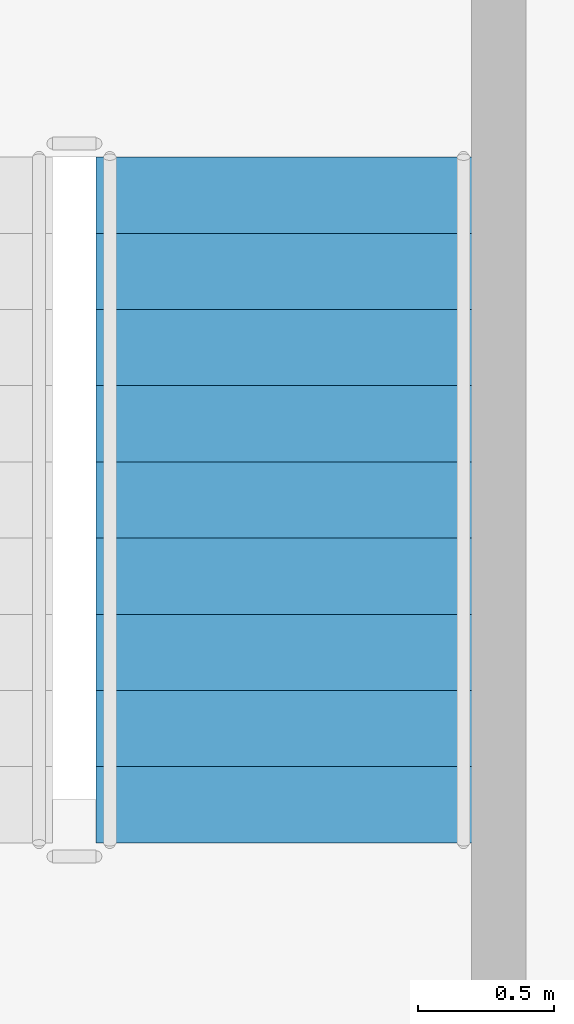
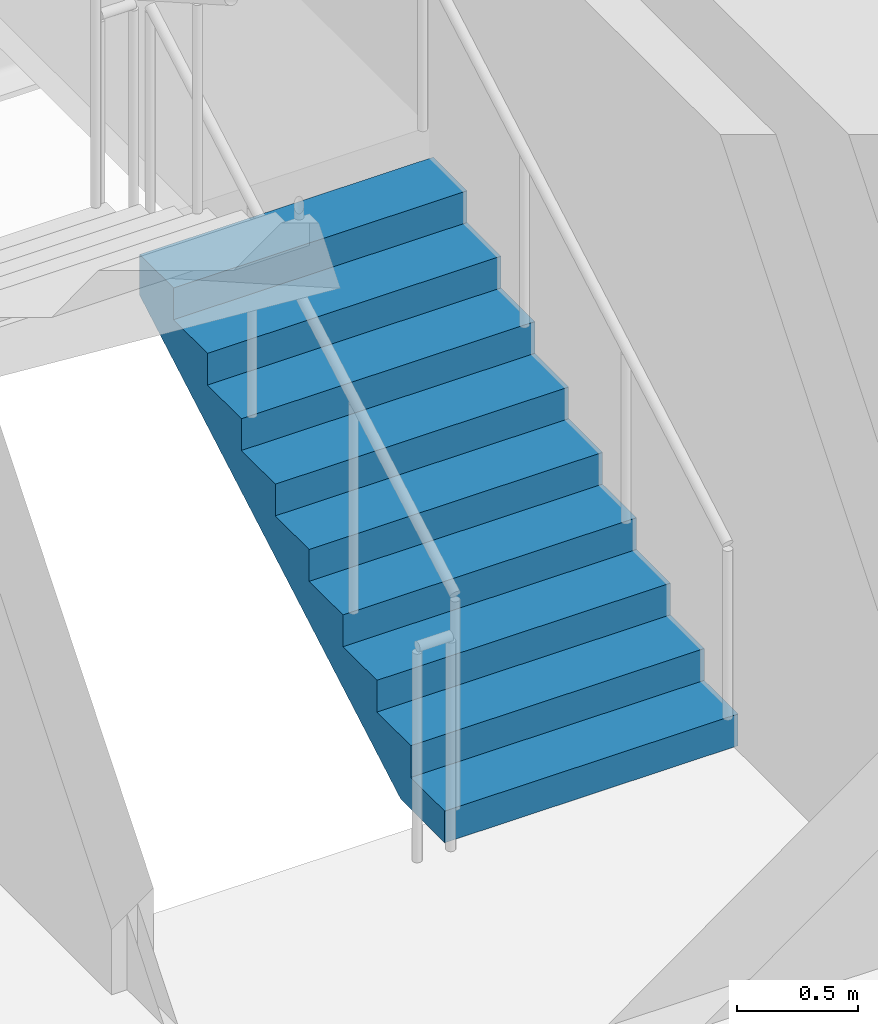
# One storey, part 5 of 7: 1 stair flight, 1 element without a shape of its own.
"""IFC4 building model written with IfcOpenShell, lengths in metres."""

from ifc_helpers import new_model, si_unit, direction, frame, origin, place, context, subcontext, project, spatial, polyline, outline, extrude, material, type_object, element, aggregate, save


model = new_model("IFC4")

# Units and contexts
model_context = context("Model", 3, precision=1e-05, world=origin(), true_north=direction((0.0, 1.0)))
body_context = subcontext(model_context, "Body", "Model", "MODEL_VIEW")
ifc_project = project(units=[si_unit("LENGTHUNIT", "METRE"), si_unit("AREAUNIT", "SQUARE_METRE"), si_unit("VOLUMEUNIT", "CUBIC_METRE"), si_unit("PLANEANGLEUNIT", "RADIAN"), si_unit("MASSUNIT", "GRAM", prefix="KILO")], contexts=[model_context])

# Site, building, storey
site_placement = place(None, origin())
site = spatial("IfcSite", under=ifc_project, at=site_placement, CompositionType="ELEMENT")
building_placement = place(site_placement, origin())
building = spatial("IfcBuilding", under=site, at=building_placement, Name="Kuzgunbayir Cultural Tower", CompositionType="ELEMENT")
storey_placement = place(building_placement, frame((0.0, 0.0, 172.800048828125)))
storey = spatial("IfcBuildingStorey", under=building, at=storey_placement, Name="L50", CompositionType="ELEMENT", Elevation=172.800048828125)

# Stair, stair flight
ifc_material = material(Name="Concrete C40/50", Category="concrete")
stair_type = type_object("IfcStairType", Name="STR-EXIT-CORE", PredefinedType="HALF_TURN_STAIR", material=ifc_material)
stair_placement = place(storey_placement, origin())
stair = element("IfcStair", 1, at=stair_placement, inside=storey, type_object=stair_type, Name="L50 ST-2", PredefinedType="HALF_TURN_STAIR")
stair_flight_type = type_object("IfcStairFlightType", Name="STRF-RC-140", PredefinedType="STRAIGHT", material=ifc_material)
stair_flight_placement = place(storey_placement, frame((25.4599609375, 35.60009765625, 0.0), z_axis=(0.0, 0.0, 1.0), x_axis=(0.0, 1.0, 0.0)))
stair_flight = element("IfcStairFlight", 2, at=stair_flight_placement, type_object=stair_flight_type, Name="ST-2 flight 1", NumberOfRisers=10, NumberOfTreads=9, PredefinedType="STRAIGHT", RiserHeight=0.16, TreadLength=0.28, context=body_context, shape_type="SweptSolid", body=[
    extrude(outline(polyline([(0.0, 0.0), (0.0, 0.159912109375), (0.280029296875, 0.159912109375), (0.280029296875, 0.320068359375), (0.56005859375, 0.320068359375), (0.56005859375, 0.47998046875), (0.840087890625, 0.47998046875), (0.840087890625, 0.639892578125), (1.1201171875, 0.639892578125), (1.1201171875, 0.800048828125), (1.39990234375, 0.800048828125), (1.39990234375, 0.9599609375), (1.679931640625, 0.9599609375), (1.679931640625, 1.1201171875), (1.9599609375, 1.1201171875), (1.9599609375, 1.280029296875), (2.239990234375, 1.280029296875), (2.239990234375, 1.43994140625), (2.52001953125, 1.43994140625), (2.52001953125, 1.60009765625), (2.52001953125, 1.232666015625), (0.362548828125, 0.0), (0.0, 0.0)])), frame((0.0, 0.699951171875, 0.0), z_axis=(0.0, -1.0, 0.0), x_axis=(1.0, 0.0, 0.0)), (0.0, 0.0, 1.0), 1.39990234375),
])
aggregate(stair, [stair_flight])

save(model, "model.ifc")
